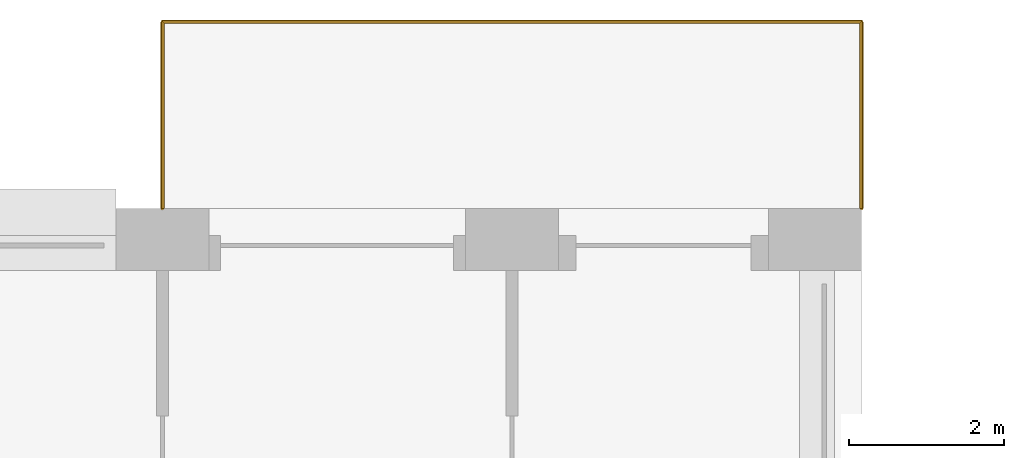
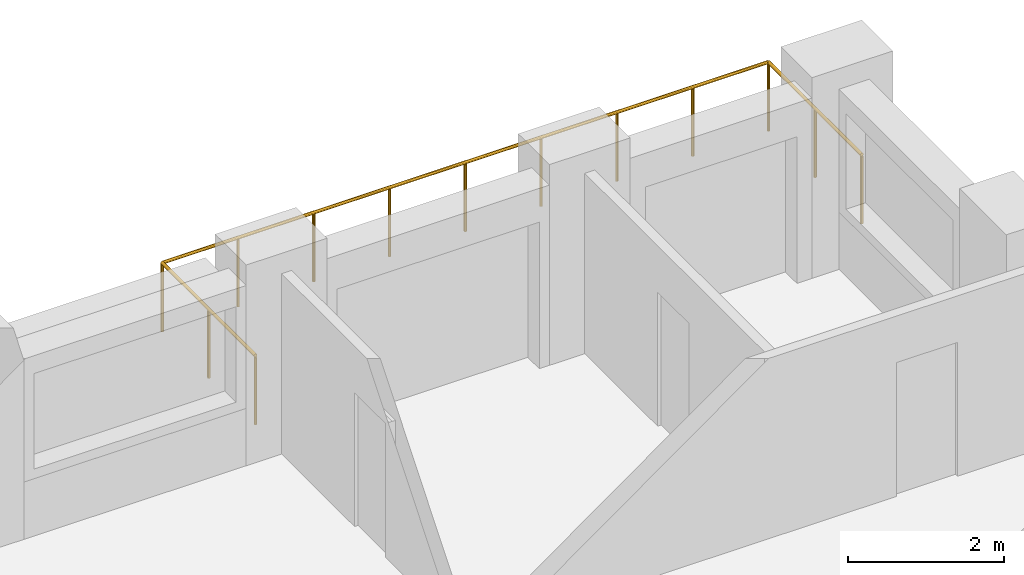
# One storey, part 20 of 20: 1 railing.
"""IFC4 building model written with IfcOpenShell, lengths in metres."""

from ifc_helpers import new_model, si_unit, direction, frame, origin, origin_2d, place, context, subcontext, project, spatial, circle, extrude, material, type_object, element, save


model = new_model("IFC4")

# Units and contexts
model_context = context("Model", 3, precision=1e-05, world=origin(), true_north=direction((0.0, 1.0)))
body_context = subcontext(model_context, "Body", "Model", "MODEL_VIEW")
ifc_project = project(units=[si_unit("LENGTHUNIT", "METRE"), si_unit("AREAUNIT", "SQUARE_METRE"), si_unit("VOLUMEUNIT", "CUBIC_METRE"), si_unit("PLANEANGLEUNIT", "RADIAN"), si_unit("MASSUNIT", "GRAM", prefix="KILO")], contexts=[model_context])

# Site, building, storey
site_placement = place(None, origin())
site = spatial("IfcSite", under=ifc_project, at=site_placement, CompositionType="ELEMENT")
building_placement = place(site_placement, origin())
building = spatial("IfcBuilding", under=site, at=building_placement, Name="Brigalow Station Residences", CompositionType="ELEMENT")
storey_placement = place(building_placement, frame((0.0, 0.0, 63.60009765625)))
storey = spatial("IfcBuildingStorey", under=building, at=storey_placement, Name="L18", CompositionType="ELEMENT", Elevation=63.60009765625)

# Railing
ifc_material = material(Name="Stainless steel balustrade with laminated glass infill", Category="steel")
railing_type = type_object("IfcRailingType", Name="BALCONY GUARD 1100", PredefinedType="GUARDRAIL", material=ifc_material)
railing_placement = place(storey_placement, frame((72.0, 48.5, -0.0400390625)))
element("IfcRailing", 1, at=railing_placement, inside=storey, type_object=railing_type, Name="L18/balcony-guard/2", PredefinedType="GUARDRAIL", context=body_context, shape_type="SweptSolid", body=[
    extrude(circle(Radius=0.02392578125, at=origin_2d()), frame((0.0, 0.0, 1.076171875), z_axis=(0.0, 1.0, 0.0), x_axis=(-1.0, 0.0, 0.0)), (0.0, 0.0, 1.0), 2.39990234375),
    extrude(circle(Radius=0.02392578125, at=origin_2d()), frame((0.0, 2.39990234375, 1.076171875), z_axis=(-1.0, 0.0, 0.0), x_axis=(0.0, -1.0, 0.0)), (0.0, 0.0, 1.0), 9.0),
    extrude(circle(Radius=0.02392578125, at=origin_2d()), frame((-9.0, 2.39990234375, 1.076171875), z_axis=(0.0, -1.0, 0.0), x_axis=(1.0, 0.0, 0.0)), (0.0, 0.0, 1.0), 2.39990234375),
    extrude(circle(Radius=0.02099609375, at=origin_2d()), origin(), (0.0, 0.0, 1.0), 1.052001953125),
    extrude(circle(Radius=0.02099609375, at=origin_2d()), frame((0.0, 1.199951171875, 0.0)), (0.0, 0.0, 1.0), 1.052001953125),
    extrude(circle(Radius=0.02099609375, at=origin_2d()), frame((0.0, 2.39990234375, 0.0)), (0.0, 0.0, 1.0), 1.052001953125),
    extrude(circle(Radius=0.02099609375, at=origin_2d()), frame((-1.125, 2.39990234375, 0.0)), (0.0, 0.0, 1.0), 1.052001953125),
    extrude(circle(Radius=0.02099609375, at=origin_2d()), frame((-2.25, 2.39990234375, 0.0)), (0.0, 0.0, 1.0), 1.052001953125),
    extrude(circle(Radius=0.02099609375, at=origin_2d()), frame((-3.375, 2.39990234375, 0.0)), (0.0, 0.0, 1.0), 1.052001953125),
    extrude(circle(Radius=0.02099609375, at=origin_2d()), frame((-4.5, 2.39990234375, 0.0)), (0.0, 0.0, 1.0), 1.052001953125),
    extrude(circle(Radius=0.02099609375, at=origin_2d()), frame((-5.625, 2.39990234375, 0.0)), (0.0, 0.0, 1.0), 1.052001953125),
    extrude(circle(Radius=0.02099609375, at=origin_2d()), frame((-6.75, 2.39990234375, 0.0)), (0.0, 0.0, 1.0), 1.052001953125),
    extrude(circle(Radius=0.02099609375, at=origin_2d()), frame((-7.875, 2.39990234375, 0.0)), (0.0, 0.0, 1.0), 1.052001953125),
    extrude(circle(Radius=0.02099609375, at=origin_2d()), frame((-9.0, 2.39990234375, 0.0)), (0.0, 0.0, 1.0), 1.052001953125),
    extrude(circle(Radius=0.02099609375, at=origin_2d()), frame((-9.0, 1.199951171875, 0.0)), (0.0, 0.0, 1.0), 1.052001953125),
    extrude(circle(Radius=0.02099609375, at=origin_2d()), frame((-9.0, 0.0, 0.0)), (0.0, 0.0, 1.0), 1.052001953125),
])

save(model, "model.ifc")
